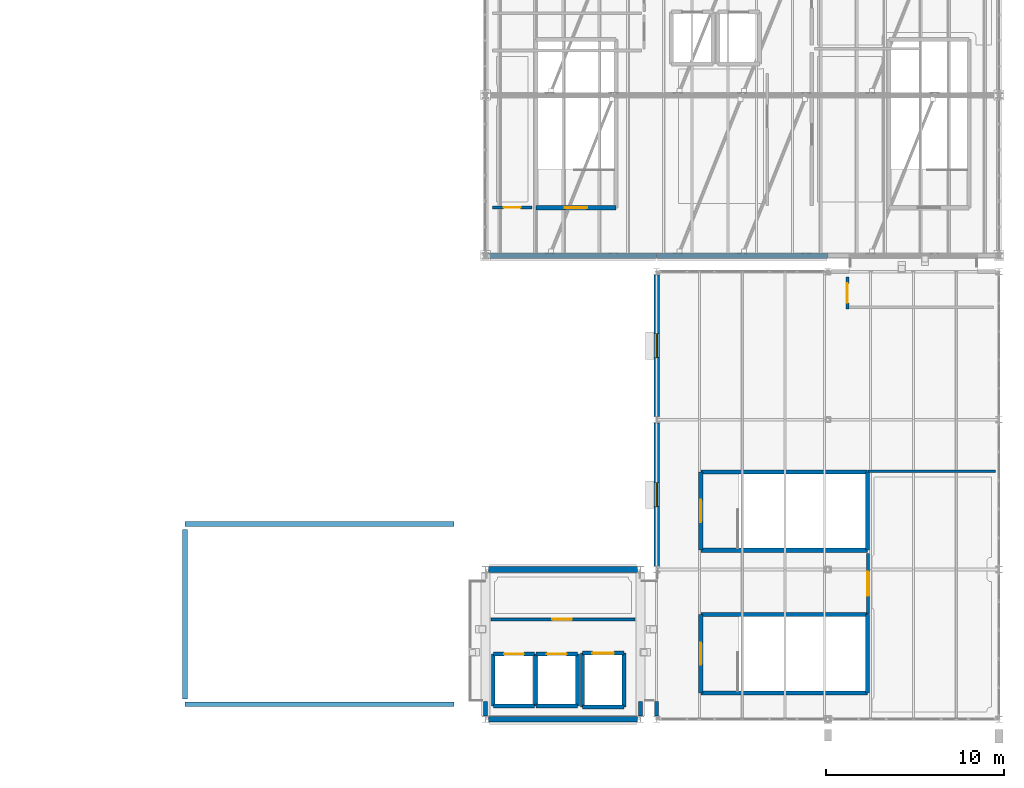
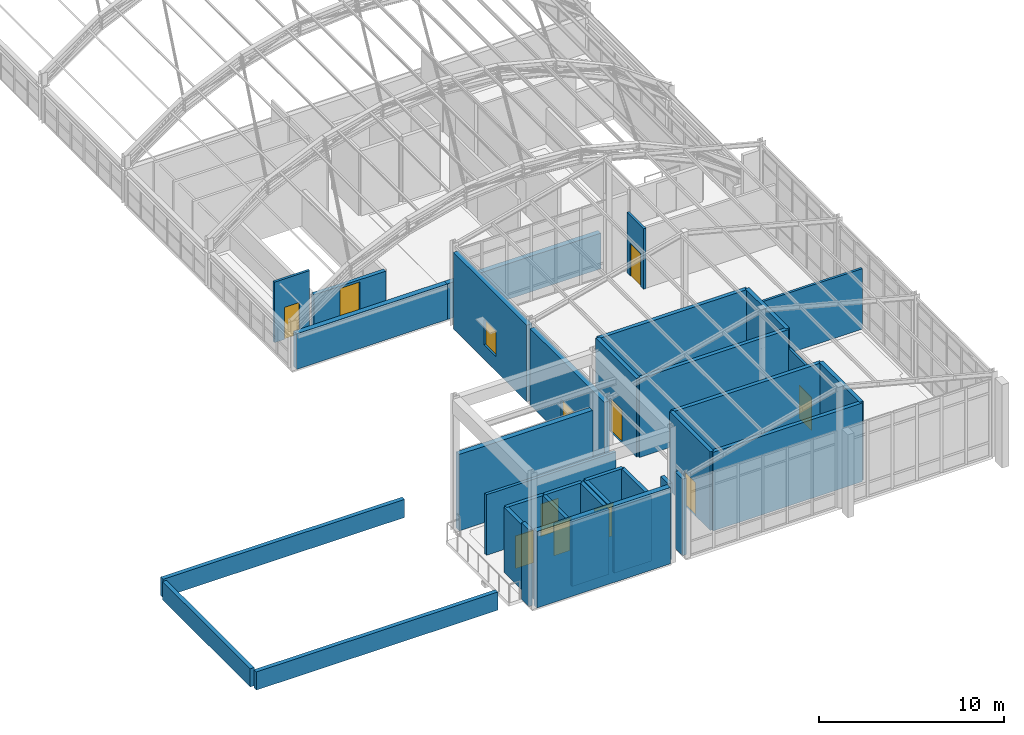
# One storey, part 115 of 121: 37 walls, 10 doors, 2 windows, 12 openings.
"""IFC4 building model written with IfcOpenShell, lengths in metres."""

from ifc_helpers import new_model, si_unit, direction, frame, frame_2d, origin, place, context, subcontext, project, spatial, rectangle, extrude, material, layer, layer_set, type_object, element, fill, save


model = new_model("IFC4")

# Units and contexts
model_context = context("Model", 3, precision=1e-05, world=origin(), true_north=direction((0.0, 1.0)))
body_context = subcontext(model_context, "Body", "Model", "MODEL_VIEW")
ifc_project = project(units=[si_unit("LENGTHUNIT", "METRE"), si_unit("AREAUNIT", "SQUARE_METRE"), si_unit("VOLUMEUNIT", "CUBIC_METRE"), si_unit("PLANEANGLEUNIT", "RADIAN"), si_unit("MASSUNIT", "GRAM", prefix="KILO")], contexts=[model_context])

# Site, building, storey
site_placement = place(None, origin())
site = spatial("IfcSite", under=ifc_project, at=site_placement, CompositionType="ELEMENT")
building_placement = place(site_placement, origin())
building = spatial("IfcBuilding", under=site, at=building_placement, Name="Canglan Escarpment Cableway Terminal", CompositionType="ELEMENT")
storey_placement = place(building_placement, frame((0.0, 0.0, 24.60009765625)))
storey = spatial("IfcBuildingStorey", under=building, at=storey_placement, Name="L05", CompositionType="ELEMENT", Elevation=24.60009765625)

# Walls
ifc_material_1 = material(Name="Concrete C40", Category="concrete")
ifc_layer_1 = layer(ifc_material_1, 0.239990234375, Name="Concrete C40")
ifc_layer_set_1 = layer_set([ifc_layer_1], Name="Concrete C40")
wall_type_1 = type_object("IfcWallType", Name="WL-CORE-SHEAR-240", PredefinedType="SHEAR", material=ifc_layer_set_1)
wall_1_placement = place(storey_placement, frame((149.679931640625, 9.47998046875, 0.0), z_axis=(0.0, 0.0, 1.0), x_axis=(1.0, 0.0, 0.0)))
element("IfcWall", 1, at=wall_1_placement, inside=storey, type_object=wall_type_1, Name="Protected stair core wall ST-08 (L05)", PredefinedType="SHEAR", context=body_context, shape_type="SweptSolid", body=[
    extrude(rectangle(XDim=9.340087890625, YDim=0.239990234375, at=frame_2d((4.669921875, 0.0))), origin(), (0.0, 0.0, 1.0), 5.199951171875),
])
wall_2_placement = place(storey_placement, frame((159.02001953125, 9.47998046875, 0.0), z_axis=(0.0, 0.0, 1.0), x_axis=(0.0, 1.0, 0.0)))
element("IfcWall", 2, at=wall_2_placement, inside=storey, type_object=wall_type_1, Name="Protected stair core wall ST-08 (L05)", PredefinedType="SHEAR", context=body_context, shape_type="SweptSolid", body=[
    extrude(rectangle(XDim=4.39013671875, YDim=0.239990234375, at=frame_2d((2.195068359375, 0.0))), origin(), (0.0, 0.0, 1.0), 5.199951171875),
])
wall_3_placement = place(storey_placement, frame((159.02001953125, 13.8701171875, 0.0), z_axis=(0.0, 0.0, 1.0), x_axis=(-1.0, 0.0, 0.0)))
element("IfcWall", 3, at=wall_3_placement, inside=storey, type_object=wall_type_1, Name="Protected stair core wall ST-08 (L05)", PredefinedType="SHEAR", context=body_context, shape_type="SweptSolid", body=[
    extrude(rectangle(XDim=9.340087890625, YDim=0.239990234375, at=frame_2d((4.669921875, 0.0))), origin(), (0.0, 0.0, 1.0), 5.199951171875),
])

# Wall, opening, door
wall_4_placement = place(storey_placement, frame((149.679931640625, 13.8701171875, 0.0), z_axis=(0.0, 0.0, 1.0), x_axis=(0.0, -1.0, 0.0)))
wall_4 = element("IfcWall", 4, at=wall_4_placement, inside=storey, type_object=wall_type_1, Name="Protected stair core wall ST-08 (L05)", PredefinedType="SHEAR", context=body_context, shape_type="SweptSolid", body=[
    extrude(rectangle(XDim=4.39013671875, YDim=0.239990234375, at=frame_2d((2.195068359375, 0.0))), origin(), (0.0, 0.0, 1.0), 5.199951171875),
])
opening_1_placement = place(wall_4_placement, frame((1.570068359375, 0.0, 0.0)))
opening_1 = element("IfcOpeningElement", 5, at=opening_1_placement, cuts=wall_4, Name="Opening SD-D1", PredefinedType="OPENING", context=body_context, shape_type="SweptSolid", body=[
    extrude(rectangle(XDim=1.25, YDim=2.199951171875, at=frame_2d((0.625, 1.10009765625))), frame((0.0, 0.1298828125, 0.0), z_axis=(0.0, -1.0, 0.0), x_axis=(1.0, 0.0, 0.0)), (0.0, 0.0, 1.0), 0.260009765625),
])
ifc_material_2 = material(Name="Steel fire-resisting stair door", Category="steel")
door_type_1 = type_object("IfcDoorType", Name="DR-STAIR-EI90-1250", OperationType="NOTDEFINED", PredefinedType="DOOR", material=ifc_material_2)
door_1_placement = place(opening_1_placement, origin())
door_1 = element("IfcDoor", 6, at=door_1_placement, inside=storey, type_object=door_type_1, Name="Protected exit stair fire door ST-08 (L05)", OperationType="SINGLE_SWING_RIGHT", OverallHeight=2.199951171875, OverallWidth=1.25, PredefinedType="DOOR", context=body_context, shape_type="SweptSolid", body=[
    extrude(rectangle(XDim=1.25, YDim=2.199951171875, at=frame_2d((0.625, 1.10009765625))), frame((0.0, 0.02490234375, 0.0), z_axis=(0.0, -1.0, 0.0), x_axis=(1.0, 0.0, 0.0)), (0.0, 0.0, 1.0), 0.050048828125),
])
fill(opening_1, door_1)

# Walls
wall_5_placement = place(storey_placement, frame((149.679931640625, 17.47998046875, 0.0), z_axis=(0.0, 0.0, 1.0), x_axis=(1.0, 0.0, 0.0)))
element("IfcWall", 7, at=wall_5_placement, inside=storey, type_object=wall_type_1, Name="Protected stair core wall ST-09 (L05)", PredefinedType="SHEAR", context=body_context, shape_type="SweptSolid", body=[
    extrude(rectangle(XDim=9.340087890625, YDim=0.239990234375, at=frame_2d((4.669921875, 0.0))), origin(), (0.0, 0.0, 1.0), 5.199951171875),
])
wall_6_placement = place(storey_placement, frame((159.02001953125, 17.47998046875, 0.0), z_axis=(0.0, 0.0, 1.0), x_axis=(0.0, 1.0, 0.0)))
element("IfcWall", 8, at=wall_6_placement, inside=storey, type_object=wall_type_1, Name="Protected stair core wall ST-09 (L05)", PredefinedType="SHEAR", context=body_context, shape_type="SweptSolid", body=[
    extrude(rectangle(XDim=4.39013671875, YDim=0.239990234375, at=frame_2d((2.195068359375, 0.0))), origin(), (0.0, 0.0, 1.0), 5.199951171875),
])
wall_7_placement = place(storey_placement, frame((159.02001953125, 21.8701171875, 0.0), z_axis=(0.0, 0.0, 1.0), x_axis=(-1.0, 0.0, 0.0)))
element("IfcWall", 9, at=wall_7_placement, inside=storey, type_object=wall_type_1, Name="Protected stair core wall ST-09 (L05)", PredefinedType="SHEAR", context=body_context, shape_type="SweptSolid", body=[
    extrude(rectangle(XDim=9.340087890625, YDim=0.239990234375, at=frame_2d((4.669921875, 0.0))), origin(), (0.0, 0.0, 1.0), 5.199951171875),
])

# Wall, opening, door
wall_8_placement = place(storey_placement, frame((149.679931640625, 21.8701171875, 0.0), z_axis=(0.0, 0.0, 1.0), x_axis=(0.0, -1.0, 0.0)))
wall_8 = element("IfcWall", 10, at=wall_8_placement, inside=storey, type_object=wall_type_1, Name="Protected stair core wall ST-09 (L05)", PredefinedType="SHEAR", context=body_context, shape_type="SweptSolid", body=[
    extrude(rectangle(XDim=4.39013671875, YDim=0.239990234375, at=frame_2d((2.195068359375, 0.0))), origin(), (0.0, 0.0, 1.0), 5.199951171875),
])
opening_2_placement = place(wall_8_placement, frame((1.570068359375, 0.0, 0.0)))
opening_2 = element("IfcOpeningElement", 11, at=opening_2_placement, cuts=wall_8, Name="Opening SD-D1", PredefinedType="OPENING", context=body_context, shape_type="SweptSolid", body=[
    extrude(rectangle(XDim=1.25, YDim=2.199951171875, at=frame_2d((0.625, 1.10009765625))), frame((0.0, 0.1298828125, 0.0), z_axis=(0.0, -1.0, 0.0), x_axis=(1.0, 0.0, 0.0)), (0.0, 0.0, 1.0), 0.260009765625),
])
door_2_placement = place(opening_2_placement, origin())
door_2 = element("IfcDoor", 12, at=door_2_placement, inside=storey, type_object=door_type_1, Name="Protected exit stair fire door ST-09 (L05)", OperationType="SINGLE_SWING_LEFT", OverallHeight=2.199951171875, OverallWidth=1.25, PredefinedType="DOOR", context=body_context, shape_type="SweptSolid", body=[
    extrude(rectangle(XDim=1.25, YDim=2.199951171875, at=frame_2d((0.625, 1.10009765625))), frame((0.0, 0.02490234375, 0.0), z_axis=(0.0, -1.0, 0.0), x_axis=(1.0, 0.0, 0.0)), (0.0, 0.0, 1.0), 0.050048828125),
])
fill(opening_2, door_2)

wall_9_placement = place(storey_placement, frame((140.429931640625, 36.679931640625, 0.0), z_axis=(0.0, 0.0, 1.0), x_axis=(1.0, 0.0, 0.0)))
wall_9 = element("IfcWall", 13, at=wall_9_placement, inside=storey, type_object=wall_type_1, Name="Protected stair core wall ST-13 (L05)", PredefinedType="SHEAR", context=body_context, shape_type="SweptSolid", body=[
    extrude(rectangle(XDim=4.489990234375, YDim=0.239990234375, at=frame_2d((2.2451171875, 0.0))), origin(), (0.0, 0.0, 1.0), 2.349853515625),
])
opening_3_placement = place(wall_9_placement, frame((1.6201171875, 0.0, 0.0)))
opening_3 = element("IfcOpeningElement", 14, at=opening_3_placement, cuts=wall_9, Name="Opening SD-D1", PredefinedType="OPENING", context=body_context, shape_type="SweptSolid", body=[
    extrude(rectangle(XDim=1.25, YDim=2.199951171875, at=frame_2d((0.625, 1.10009765625))), frame((0.0, 0.1298828125, 0.0), z_axis=(0.0, -1.0, 0.0), x_axis=(1.0, 0.0, 0.0)), (0.0, 0.0, 1.0), 0.260009765625),
])
door_3_placement = place(opening_3_placement, origin())
door_3 = element("IfcDoor", 15, at=door_3_placement, inside=storey, type_object=door_type_1, Name="Protected exit stair fire door ST-13 (L05)", OperationType="SINGLE_SWING_RIGHT", OverallHeight=2.199951171875, OverallWidth=1.25, PredefinedType="DOOR", context=body_context, shape_type="SweptSolid", body=[
    extrude(rectangle(XDim=1.25, YDim=2.199951171875, at=frame_2d((0.625, 1.10009765625))), frame((0.0, 0.02490234375, 0.0), z_axis=(0.0, -1.0, 0.0), x_axis=(1.0, 0.0, 0.0)), (0.0, 0.0, 1.0), 0.050048828125),
])
fill(opening_3, door_3)

# Walls
ifc_material_3 = material(Name="Dressed ashlar limestone on Concrete C40", Category="masonry")
ifc_layer_2 = layer(ifc_material_3, 0.320068359375, Name="Dressed ashlar limestone on Concrete C40")
ifc_layer_set_2 = layer_set([ifc_layer_2], Name="Dressed ashlar limestone on Concrete C40")
wall_type_2 = type_object("IfcWallType", Name="WL-EXT-ASHLAR-320", PredefinedType="STANDARD", material=ifc_layer_set_2)
for number, where, z_axis, x_axis, name in (
    (16, (137.77490234375, 8.0, 0.0), (0.0, 0.0, 1.0), (1.0, 0.0, 0.0), "Classical stone-faced exterior wall EW-FB5A-L05-S-01"),
    (17, (146.125, 16.39990234375, 0.0), (0.0, 0.0, 1.0), (-1.0, 0.0, 0.0), "Classical stone-faced exterior wall EW-FB5A-L05-N-01"),
):
    element("IfcWall", number, at=place(storey_placement, frame(where, z_axis=z_axis, x_axis=x_axis)), inside=storey, type_object=wall_type_2, Name=name, PredefinedType="STANDARD", context=body_context, shape_type="SweptSolid", body=[
        extrude(rectangle(XDim=8.35009765625, YDim=0.320068359375, at=frame_2d((4.175048828125, 0.0))), origin(), (0.0, 0.0, 1.0), 5.0498046875),
    ])

# Wall, opening, window
wall_10_placement = place(storey_placement, frame((147.199951171875, 24.625, 0.0), z_axis=(0.0, 0.0, 1.0), x_axis=(0.0, -1.0, 0.0)))
wall_10 = element("IfcWall", 18, at=wall_10_placement, inside=storey, type_object=wall_type_2, Name="Classical stone-faced exterior wall EW-FB5-L05-W-02", PredefinedType="STANDARD", context=body_context, shape_type="SweptSolid", body=[
    extrude(rectangle(XDim=8.050048828125, YDim=0.320068359375, at=frame_2d((4.02490234375, 0.0))), origin(), (0.0, 0.0, 1.0), 5.0498046875),
])
opening_4_placement = place(wall_10_placement, frame((3.35009765625, 0.0, 0.949951171875)))
opening_4 = element("IfcOpeningElement", 19, at=opening_4_placement, cuts=wall_10, Name="Opening W-05", PredefinedType="OPENING", context=body_context, shape_type="SweptSolid", body=[
    extrude(rectangle(XDim=1.35009765625, YDim=1.449951171875, at=frame_2d((0.675048828125, 0.72509765625))), frame((0.0, 0.169921875, 0.0), z_axis=(0.0, -1.0, 0.0), x_axis=(1.0, 0.0, 0.0)), (0.0, 0.0, 1.0), 0.340087890625),
])
ifc_material_4 = material(Name="Anodized bronze aluminium and Low-E double glazing", Category="aluminium")
window_type_1 = type_object("IfcWindowType", Name="WIN-EXT-05", PartitioningType="SINGLE_PANEL", PredefinedType="WINDOW", material=ifc_material_4)
window_1_placement = place(opening_4_placement, origin())
window_1 = element("IfcWindow", 20, at=window_1_placement, inside=storey, type_object=window_type_1, Name="Classical module window W-05", OverallHeight=1.449951171875, OverallWidth=1.35009765625, PartitioningType="SINGLE_PANEL", PredefinedType="WINDOW", context=body_context, shape_type="SweptSolid", body=[
    extrude(rectangle(XDim=1.35009765625, YDim=1.449951171875, at=frame_2d((0.675048828125, 0.72509765625))), frame((0.0, 0.030029296875, 0.0), z_axis=(0.0, -1.0, 0.0), x_axis=(1.0, 0.0, 0.0)), (0.0, 0.0, 1.0), 0.06005859375),
])
fill(opening_4, window_1)

wall_11_placement = place(storey_placement, frame((147.199951171875, 32.925048828125, 0.0), z_axis=(0.0, 0.0, 1.0), x_axis=(0.0, -1.0, 0.0)))
wall_11 = element("IfcWall", 21, at=wall_11_placement, inside=storey, type_object=wall_type_2, Name="Classical stone-faced exterior wall EW-FB5-L05-W-03", PredefinedType="STANDARD", context=body_context, shape_type="SweptSolid", body=[
    extrude(rectangle(XDim=7.949951171875, YDim=0.320068359375, at=frame_2d((3.97509765625, 0.0))), origin(), (0.0, 0.0, 1.0), 5.0498046875),
])
opening_5_placement = place(wall_11_placement, frame((3.300048828125, 0.0, 0.949951171875)))
opening_5 = element("IfcOpeningElement", 22, at=opening_5_placement, cuts=wall_11, Name="Opening W-06", PredefinedType="OPENING", context=body_context, shape_type="SweptSolid", body=[
    extrude(rectangle(XDim=1.35009765625, YDim=1.699951171875, at=frame_2d((0.675048828125, 0.85009765625))), frame((0.0, 0.169921875, 0.0), z_axis=(0.0, -1.0, 0.0), x_axis=(1.0, 0.0, 0.0)), (0.0, 0.0, 1.0), 0.340087890625),
])
window_type_2 = type_object("IfcWindowType", Name="WIN-EXT-06", PartitioningType="SINGLE_PANEL", PredefinedType="WINDOW", material=ifc_material_4)
window_2_placement = place(opening_5_placement, origin())
window_2 = element("IfcWindow", 23, at=window_2_placement, inside=storey, type_object=window_type_2, Name="Classical module window W-06", OverallHeight=1.699951171875, OverallWidth=1.35009765625, PartitioningType="SINGLE_PANEL", PredefinedType="WINDOW", context=body_context, shape_type="SweptSolid", body=[
    extrude(rectangle(XDim=1.35009765625, YDim=1.699951171875, at=frame_2d((0.675048828125, 0.85009765625))), frame((0.0, 0.030029296875, 0.0), z_axis=(0.0, -1.0, 0.0), x_axis=(1.0, 0.0, 0.0)), (0.0, 0.0, 1.0), 0.06005859375),
])
fill(opening_5, window_2)

# Walls
wall_12_placement = place(storey_placement, frame((137.77490234375, 34.0, 0.0), z_axis=(0.0, 0.0, 1.0), x_axis=(1.0, 0.0, 0.0)))
element("IfcWall", 24, at=wall_12_placement, inside=storey, type_object=wall_type_2, Name="Classical stone-faced exterior wall EW-FB9-L05-S-01", PredefinedType="STANDARD", context=body_context, shape_type="SweptSolid", body=[
    extrude(rectangle(XDim=9.425048828125, YDim=0.320068359375, at=frame_2d((4.71240234375, 0.0))), origin(), (0.0, 0.0, 1.0), 2.349853515625),
])
wall_13_placement = place(storey_placement, frame((147.199951171875, 34.0, 0.0), z_axis=(0.0, 0.0, 1.0), x_axis=(1.0, 0.0, 0.0)))
element("IfcWall", 25, at=wall_13_placement, inside=storey, type_object=wall_type_2, Name="Classical stone-faced exterior wall EW-FB9-L05-S-02", PredefinedType="STANDARD", context=body_context, shape_type="SweptSolid", body=[
    extrude(rectangle(XDim=9.60009765625, YDim=0.320068359375, at=frame_2d((4.800048828125, 0.0))), origin(), (0.0, 0.0, 1.0), 2.349853515625),
])
ifc_material_5 = material(Name="Insulated stone-faced spandrel wall", Category="masonry")
ifc_layer_3 = layer(ifc_material_5, 0.22998046875, Name="Insulated stone-faced spandrel wall")
ifc_layer_set_3 = layer_set([ifc_layer_3], Name="Insulated stone-faced spandrel wall")
wall_type_3 = type_object("IfcWallType", Name="WL-EXT-LINK-230", PredefinedType="STANDARD", material=ifc_layer_set_3)
for number, where, z_axis, x_axis, name in (
    (26, (146.300048828125, 8.175048828125, 0.0), (0.0, 0.0, 1.0), (0.0, 1.0, 0.0), "Classical stone-faced exterior wall EW-FB5A-L05-E-01-FL1"),
    (27, (137.60009765625, 8.175048828125, 0.0), (0.0, 0.0, 1.0), (0.0, 1.0, 0.0), "Classical stone-faced exterior wall EW-FB5A-L05-W-01-FL1"),
    (28, (147.199951171875, 8.175048828125, 0.0), (0.0, 0.0, 1.0), (0.0, 1.0, 0.0), "Classical stone-faced exterior wall EW-FB5-L05-W-01-FL1"),
):
    element("IfcWall", number, at=place(storey_placement, frame(where, z_axis=z_axis, x_axis=x_axis)), inside=storey, type_object=wall_type_3, Name=name, PredefinedType="STANDARD", context=body_context, shape_type="SweptSolid", body=[
        extrude(rectangle(XDim=0.824951171875, YDim=0.22998046875, at=frame_2d((0.41259765625, 0.0))), origin(), (0.0, 0.0, 1.0), 5.0498046875),
    ])

# Wall, opening, door
ifc_material_6 = material(Name="Autoclaved aerated concrete blockwork", Category="masonry")
ifc_layer_4 = layer(ifc_material_6, 0.179931640625, Name="Autoclaved aerated concrete blockwork")
ifc_layer_set_4 = layer_set([ifc_layer_4], Name="Autoclaved aerated concrete blockwork")
wall_type_4 = type_object("IfcWallType", Name="WL-INT-FIRE-180-EI60", PredefinedType="PARTITIONING", material=ifc_layer_set_4)
wall_14_placement = place(storey_placement, frame((137.89990234375, 13.60009765625, 0.0), z_axis=(0.0, 0.0, 1.0), x_axis=(1.0, 0.0, 0.0)))
wall_14 = element("IfcWall", 29, at=wall_14_placement, inside=storey, type_object=wall_type_4, Name="Interior partition wall IW-L05-04-MAIN", PredefinedType="PARTITIONING", context=body_context, shape_type="SweptSolid", body=[
    extrude(rectangle(XDim=8.10009765625, YDim=0.179931640625, at=frame_2d((4.050048828125, 0.0))), origin(), (0.0, 0.0, 1.0), 4.0),
])
opening_6_placement = place(wall_14_placement, frame((3.449951171875, 0.0, 0.0)))
opening_6 = element("IfcOpeningElement", 30, at=opening_6_placement, cuts=wall_14, Name="Opening ID-42", PredefinedType="OPENING", context=body_context, shape_type="SweptSolid", body=[
    extrude(rectangle(XDim=1.10009765625, YDim=2.139892578125, at=frame_2d((0.550048828125, 1.06982421875))), frame((0.0, 0.10009765625, 0.0), z_axis=(0.0, -1.0, 0.0), x_axis=(1.0, 0.0, 0.0)), (0.0, 0.0, 1.0), 0.199951171875),
])
ifc_material_7 = material(Name="Stained oak and safety glass door", Category="glass")
door_type_2 = type_object("IfcDoorType", Name="DR-INT-ID-42", OperationType="NOTDEFINED", PredefinedType="DOOR", material=ifc_material_7)
door_4_placement = place(opening_6_placement, origin())
door_4 = element("IfcDoor", 31, at=door_4_placement, inside=storey, type_object=door_type_2, Name="Summit Emergency Broadcast Room door ID-42", OperationType="SINGLE_SWING_RIGHT", OverallHeight=2.139892578125, OverallWidth=1.10009765625, PredefinedType="DOOR", context=body_context, shape_type="SweptSolid", body=[
    extrude(rectangle(XDim=1.10009765625, YDim=2.139892578125, at=frame_2d((0.550048828125, 1.06982421875))), frame((0.0, 0.02490234375, 0.0), z_axis=(0.0, -1.0, 0.0), x_axis=(1.0, 0.0, 0.0)), (0.0, 0.0, 1.0), 0.050048828125),
])
fill(opening_6, door_4)

ifc_material_8 = material(Name="Acoustic double-stud gypsum partition", Category="gypsum")
ifc_layer_5 = layer(ifc_material_8, 0.14990234375, Name="Acoustic double-stud gypsum partition")
ifc_layer_set_5 = layer_set([ifc_layer_5], Name="Acoustic double-stud gypsum partition")
wall_type_5 = type_object("IfcWallType", Name="WL-INT-PART-150", PredefinedType="PARTITIONING", material=ifc_layer_set_5)
wall_15_placement = place(storey_placement, frame((157.89990234375, 31.0, 0.0), z_axis=(0.0, 0.0, 1.0), x_axis=(0.0, 1.0, 0.0)))
wall_15 = element("IfcWall", 32, at=wall_15_placement, inside=storey, type_object=wall_type_5, Name="Interior partition wall IW-L05-05-MAIN", PredefinedType="PARTITIONING", context=body_context, shape_type="SweptSolid", body=[
    extrude(rectangle(XDim=1.800048828125, YDim=0.14990234375, at=frame_2d((0.89990234375, 0.0))), origin(), (0.0, 0.0, 1.0), 4.0),
])
opening_7_placement = place(wall_15_placement, frame((0.35009765625, 0.0, 0.0)))
opening_7 = element("IfcOpeningElement", 33, at=opening_7_placement, cuts=wall_15, Name="Opening ID-05", PredefinedType="OPENING", context=body_context, shape_type="SweptSolid", body=[
    extrude(rectangle(XDim=1.10009765625, YDim=2.14990234375, at=frame_2d((0.550048828125, 1.074951171875))), frame((0.0, 0.0849609375, 0.0), z_axis=(0.0, -1.0, 0.0), x_axis=(1.0, 0.0, 0.0)), (0.0, 0.0, 1.0), 0.169921875),
])
door_type_3 = type_object("IfcDoorType", Name="DR-INT-ID-05", OperationType="NOTDEFINED", PredefinedType="DOOR", material=ifc_material_7)
door_5_placement = place(opening_7_placement, origin())
door_5 = element("IfcDoor", 34, at=door_5_placement, inside=storey, type_object=door_type_3, Name="Summit Observatory Salon door ID-05", OperationType="SINGLE_SWING_LEFT", OverallHeight=2.14990234375, OverallWidth=1.10009765625, PredefinedType="DOOR", context=body_context, shape_type="SweptSolid", body=[
    extrude(rectangle(XDim=1.10009765625, YDim=2.14990234375, at=frame_2d((0.550048828125, 1.074951171875))), frame((0.0, 0.02490234375, 0.0), z_axis=(0.0, -1.0, 0.0), x_axis=(1.0, 0.0, 0.0)), (0.0, 0.0, 1.0), 0.050048828125),
])
fill(opening_7, door_5)

wall_16_placement = place(storey_placement, frame((159.050048828125, 13.89990234375, 0.0), z_axis=(0.0, 0.0, 1.0), x_axis=(0.0, 1.0, 0.0)))
wall_16 = element("IfcWall", 35, at=wall_16_placement, inside=storey, type_object=wall_type_5, Name="Interior partition wall IW-L05-06-MAIN", PredefinedType="PARTITIONING", context=body_context, shape_type="SweptSolid", body=[
    extrude(rectangle(XDim=3.400146484375, YDim=0.14990234375, at=frame_2d((1.7001953125, 0.0))), origin(), (0.0, 0.0, 1.0), 4.0),
])
opening_8_placement = place(wall_16_placement, frame((1.02490234375, 0.0, 0.0)))
opening_8 = element("IfcOpeningElement", 36, at=opening_8_placement, cuts=wall_16, Name="Opening ID-14", PredefinedType="OPENING", context=body_context, shape_type="SweptSolid", body=[
    extrude(rectangle(XDim=1.35009765625, YDim=2.179931640625, at=frame_2d((0.675048828125, 1.08984375))), frame((0.0, 0.0849609375, 0.0), z_axis=(0.0, -1.0, 0.0), x_axis=(1.0, 0.0, 0.0)), (0.0, 0.0, 1.0), 0.169921875),
])
door_type_4 = type_object("IfcDoorType", Name="DR-INT-ID-14", OperationType="NOTDEFINED", PredefinedType="DOOR", material=ifc_material_7)
door_6_placement = place(opening_8_placement, origin())
door_6 = element("IfcDoor", 37, at=door_6_placement, inside=storey, type_object=door_type_4, Name="Private Dining Suite door ID-14", OperationType="SINGLE_SWING_RIGHT", OverallHeight=2.179931640625, OverallWidth=1.35009765625, PredefinedType="DOOR", context=body_context, shape_type="SweptSolid", body=[
    extrude(rectangle(XDim=1.35009765625, YDim=2.179931640625, at=frame_2d((0.675048828125, 1.08984375))), frame((0.0, 0.02490234375, 0.0), z_axis=(0.0, -1.0, 0.0), x_axis=(1.0, 0.0, 0.0)), (0.0, 0.0, 1.0), 0.050048828125),
])
fill(opening_8, door_6)

# Wall
wall_17_placement = place(storey_placement, frame((159.050048828125, 21.89990234375, 0.0), z_axis=(0.0, 0.0, 1.0), x_axis=(1.0, 0.0, 0.0)))
element("IfcWall", 38, at=wall_17_placement, inside=storey, type_object=wall_type_5, Name="Interior partition wall IW-L05-06-SIDE", PredefinedType="PARTITIONING", context=body_context, shape_type="SweptSolid", body=[
    extrude(rectangle(XDim=7.14990234375, YDim=0.14990234375, at=frame_2d((3.574951171875, 0.0))), origin(), (0.0, 0.0, 1.0), 4.0),
])

# Wall, opening, door
wall_18_placement = place(storey_placement, frame((138.0, 36.699951171875, 0.0), z_axis=(0.0, 0.0, 1.0), x_axis=(1.0, 0.0, 0.0)))
wall_18 = element("IfcWall", 39, at=wall_18_placement, inside=storey, type_object=wall_type_5, Name="Interior partition wall IW-L05-11-MAIN", PredefinedType="PARTITIONING", context=body_context, shape_type="SweptSolid", body=[
    extrude(rectangle(XDim=2.199951171875, YDim=0.14990234375, at=frame_2d((1.10009765625, 0.0))), origin(), (0.0, 0.0, 1.0), 4.0),
])
opening_9_placement = place(wall_18_placement, frame((0.625, 0.0, 0.0)))
opening_9 = element("IfcOpeningElement", 40, at=opening_9_placement, cuts=wall_18, Name="Opening ID-01", PredefinedType="OPENING", context=body_context, shape_type="SweptSolid", body=[
    extrude(rectangle(XDim=0.949951171875, YDim=2.1201171875, at=frame_2d((0.47509765625, 1.06005859375))), frame((0.0, 0.0849609375, 0.0), z_axis=(0.0, -1.0, 0.0), x_axis=(1.0, 0.0, 0.0)), (0.0, 0.0, 1.0), 0.169921875),
])
door_type_5 = type_object("IfcDoorType", Name="DR-INT-ID-01", OperationType="NOTDEFINED", PredefinedType="DOOR", material=ifc_material_7)
door_7_placement = place(opening_9_placement, origin())
door_7 = element("IfcDoor", 41, at=door_7_placement, inside=storey, type_object=door_type_5, Name="Cloud Sea Tea Salon door ID-01", OperationType="SINGLE_SWING_LEFT", OverallHeight=2.1201171875, OverallWidth=0.949951171875, PredefinedType="DOOR", context=body_context, shape_type="SweptSolid", body=[
    extrude(rectangle(XDim=0.949951171875, YDim=2.1201171875, at=frame_2d((0.47509765625, 1.06005859375))), frame((0.0, 0.02490234375, 0.0), z_axis=(0.0, -1.0, 0.0), x_axis=(1.0, 0.0, 0.0)), (0.0, 0.0, 1.0), 0.050048828125),
])
fill(opening_9, door_7)

# Walls
ifc_material_9 = material(Name="Dressed limestone coping wall", Category="masonry")
ifc_layer_6 = layer(ifc_material_9, 0.260009765625, Name="Dressed limestone coping wall")
ifc_layer_set_6 = layer_set([ifc_layer_6], Name="Dressed limestone coping wall")
wall_type_6 = type_object("IfcWallType", Name="WL-PAR-STONE-260", PredefinedType="PARAPET", material=ifc_layer_set_6)
for number, where, z_axis, x_axis, name in (
    (42, (120.75, 8.85009765625, 0.0), (0.0, 0.0, 1.0), (1.0, 0.0, 0.0), "Classical stone roof parapet PW-01"),
    (43, (120.75, 18.949951171875, 0.0), (0.0, 0.0, 1.0), (1.0, 0.0, 0.0), "Classical stone roof parapet PW-01"),
):
    element("IfcWall", number, at=place(storey_placement, frame(where, z_axis=z_axis, x_axis=x_axis)), inside=storey, type_object=wall_type_6, Name=name, PredefinedType="PARAPET", context=body_context, shape_type="SweptSolid", body=[
        extrude(rectangle(XDim=15.10009765625, YDim=0.260009765625, at=frame_2d((7.550048828125, 0.0))), origin(), (0.0, 0.0, 1.0), 1.199951171875),
    ])
wall_19_placement = place(storey_placement, frame((120.75, 9.14990234375, 0.0), z_axis=(0.0, 0.0, 1.0), x_axis=(0.0, 1.0, 0.0)))
element("IfcWall", 44, at=wall_19_placement, inside=storey, type_object=wall_type_6, Name="Classical stone roof parapet PW-01", PredefinedType="PARAPET", context=body_context, shape_type="SweptSolid", body=[
    extrude(rectangle(XDim=9.5, YDim=0.260009765625, at=frame_2d((4.75, 0.0))), origin(), (0.0, 0.0, 1.0), 1.199951171875),
])
ifc_layer_7 = layer(ifc_material_1, 0.219970703125, Name="Concrete C40")
ifc_layer_set_7 = layer_set([ifc_layer_7], Name="Concrete C40")
wall_type_7 = type_object("IfcWallType", Name="WL-SHAFT-SHEAR-220", PredefinedType="SHEAR", material=ifc_layer_set_7)
wall_20_placement = place(storey_placement, frame((138.0400390625, 8.739990234375, 0.0), z_axis=(0.0, 0.0, 1.0), x_axis=(1.0, 0.0, 0.0)))
element("IfcWall", 45, at=wall_20_placement, inside=storey, type_object=wall_type_7, Name="Elevator core shaft wall LF-01 (L05)", PredefinedType="SHEAR", context=body_context, shape_type="SweptSolid", body=[
    extrude(rectangle(XDim=2.320068359375, YDim=0.219970703125, at=frame_2d((1.16015625, 0.0))), origin(), (0.0, 0.0, 1.0), 4.2998046875),
])
wall_21_placement = place(storey_placement, frame((140.39990234375, 8.739990234375, 0.0), z_axis=(0.0, 0.0, 1.0), x_axis=(0.0, 1.0, 0.0)))
element("IfcWall", 46, at=wall_21_placement, inside=storey, type_object=wall_type_7, Name="Elevator core shaft wall LF-01 (L05)", PredefinedType="SHEAR", context=body_context, shape_type="SweptSolid", body=[
    extrude(rectangle(XDim=2.919921875, YDim=0.219970703125, at=frame_2d((1.4599609375, 0.0))), origin(), (0.0, 0.0, 1.0), 4.2998046875),
])

# Wall, opening, door
wall_22_placement = place(storey_placement, frame((140.360107421875, 11.659912109375, 0.0), z_axis=(0.0, 0.0, 1.0), x_axis=(-1.0, 0.0, 0.0)))
wall_22 = element("IfcWall", 47, at=wall_22_placement, inside=storey, type_object=wall_type_7, Name="Elevator core shaft wall LF-01 (L05)", PredefinedType="SHEAR", context=body_context, shape_type="SweptSolid", body=[
    extrude(rectangle(XDim=2.320068359375, YDim=0.219970703125, at=frame_2d((1.16015625, 0.0))), origin(), (0.0, 0.0, 1.0), 4.2998046875),
])
opening_10_placement = place(wall_22_placement, frame((0.610107421875, 0.0, 0.0)))
opening_10 = element("IfcOpeningElement", 48, at=opening_10_placement, cuts=wall_22, Name="Opening LD-01", PredefinedType="OPENING", context=body_context, shape_type="SweptSolid", body=[
    extrude(rectangle(XDim=1.10009765625, YDim=2.14990234375, at=frame_2d((0.550048828125, 1.074951171875))), frame((0.0, 0.1201171875, 0.0), z_axis=(0.0, -1.0, 0.0), x_axis=(1.0, 0.0, 0.0)), (0.0, 0.0, 1.0), 0.239990234375),
])
ifc_material_10 = material(Name="Brushed stainless steel lift landing door", Category="steel")
door_type_6 = type_object("IfcDoorType", Name="DR-LIFT-SLIDE-1100", OperationType="DOUBLE_DOOR_SLIDING", PredefinedType="DOOR", material=ifc_material_10)
door_8_placement = place(opening_10_placement, origin())
door_8 = element("IfcDoor", 49, at=door_8_placement, inside=storey, type_object=door_type_6, Name="Elevator sliding landing door LF-01 (L05)", OperationType="DOUBLE_DOOR_SLIDING", OverallHeight=2.14990234375, OverallWidth=1.10009765625, PredefinedType="DOOR", context=body_context, shape_type="SweptSolid", body=[
    extrude(rectangle(XDim=1.10009765625, YDim=2.14990234375, at=frame_2d((0.550048828125, 1.074951171875))), frame((0.0, 0.02490234375, 0.0), z_axis=(0.0, -1.0, 0.0), x_axis=(1.0, 0.0, 0.0)), (0.0, 0.0, 1.0), 0.050048828125),
])
fill(opening_10, door_8)

# Walls
wall_23_placement = place(storey_placement, frame((138.0400390625, 11.659912109375, 0.0), z_axis=(0.0, 0.0, 1.0), x_axis=(0.0, -1.0, 0.0)))
element("IfcWall", 50, at=wall_23_placement, inside=storey, type_object=wall_type_7, Name="Elevator core shaft wall LF-01 (L05)", PredefinedType="SHEAR", context=body_context, shape_type="SweptSolid", body=[
    extrude(rectangle(XDim=2.919921875, YDim=0.219970703125, at=frame_2d((1.4599609375, 0.0))), origin(), (0.0, 0.0, 1.0), 4.2998046875),
])
wall_24_placement = place(storey_placement, frame((140.43994140625, 8.739990234375, 0.0), z_axis=(0.0, 0.0, 1.0), x_axis=(1.0, 0.0, 0.0)))
element("IfcWall", 51, at=wall_24_placement, inside=storey, type_object=wall_type_7, Name="Elevator core shaft wall LF-02 (L05)", PredefinedType="SHEAR", context=body_context, shape_type="SweptSolid", body=[
    extrude(rectangle(XDim=2.320068359375, YDim=0.219970703125, at=frame_2d((1.16015625, 0.0))), origin(), (0.0, 0.0, 1.0), 4.2998046875),
])
wall_25_placement = place(storey_placement, frame((142.760009765625, 8.739990234375, 0.0), z_axis=(0.0, 0.0, 1.0), x_axis=(0.0, 1.0, 0.0)))
element("IfcWall", 52, at=wall_25_placement, inside=storey, type_object=wall_type_7, Name="Elevator core shaft wall LF-02 (L05)", PredefinedType="SHEAR", context=body_context, shape_type="SweptSolid", body=[
    extrude(rectangle(XDim=2.919921875, YDim=0.219970703125, at=frame_2d((1.4599609375, 0.0))), origin(), (0.0, 0.0, 1.0), 4.2998046875),
])

# Wall, opening, door
wall_26_placement = place(storey_placement, frame((142.760009765625, 11.659912109375, 0.0), z_axis=(0.0, 0.0, 1.0), x_axis=(-1.0, 0.0, 0.0)))
wall_26 = element("IfcWall", 53, at=wall_26_placement, inside=storey, type_object=wall_type_7, Name="Elevator core shaft wall LF-02 (L05)", PredefinedType="SHEAR", context=body_context, shape_type="SweptSolid", body=[
    extrude(rectangle(XDim=2.320068359375, YDim=0.219970703125, at=frame_2d((1.16015625, 0.0))), origin(), (0.0, 0.0, 1.0), 4.2998046875),
])
opening_11_placement = place(wall_26_placement, frame((0.610107421875, 0.0, 0.0)))
opening_11 = element("IfcOpeningElement", 54, at=opening_11_placement, cuts=wall_26, Name="Opening LD-01", PredefinedType="OPENING", context=body_context, shape_type="SweptSolid", body=[
    extrude(rectangle(XDim=1.10009765625, YDim=2.14990234375, at=frame_2d((0.550048828125, 1.074951171875))), frame((0.0, 0.1201171875, 0.0), z_axis=(0.0, -1.0, 0.0), x_axis=(1.0, 0.0, 0.0)), (0.0, 0.0, 1.0), 0.239990234375),
])
door_9_placement = place(opening_11_placement, origin())
door_9 = element("IfcDoor", 55, at=door_9_placement, inside=storey, type_object=door_type_6, Name="Elevator sliding landing door LF-02 (L05)", OperationType="DOUBLE_DOOR_SLIDING", OverallHeight=2.14990234375, OverallWidth=1.10009765625, PredefinedType="DOOR", context=body_context, shape_type="SweptSolid", body=[
    extrude(rectangle(XDim=1.10009765625, YDim=2.14990234375, at=frame_2d((0.550048828125, 1.074951171875))), frame((0.0, 0.02490234375, 0.0), z_axis=(0.0, -1.0, 0.0), x_axis=(1.0, 0.0, 0.0)), (0.0, 0.0, 1.0), 0.050048828125),
])
fill(opening_11, door_9)

# Walls
wall_27_placement = place(storey_placement, frame((143.0400390625, 8.68994140625, 0.0), z_axis=(0.0, 0.0, 1.0), x_axis=(1.0, 0.0, 0.0)))
element("IfcWall", 56, at=wall_27_placement, inside=storey, type_object=wall_type_7, Name="Elevator core shaft wall LF-07 (L05)", PredefinedType="SHEAR", context=body_context, shape_type="SweptSolid", body=[
    extrude(rectangle(XDim=2.320068359375, YDim=0.219970703125, at=frame_2d((1.16015625, 0.0))), origin(), (0.0, 0.0, 1.0), 4.2998046875),
])
wall_28_placement = place(storey_placement, frame((145.360107421875, 8.68994140625, 0.0), z_axis=(0.0, 0.0, 1.0), x_axis=(0.0, 1.0, 0.0)))
element("IfcWall", 57, at=wall_28_placement, inside=storey, type_object=wall_type_7, Name="Elevator core shaft wall LF-07 (L05)", PredefinedType="SHEAR", context=body_context, shape_type="SweptSolid", body=[
    extrude(rectangle(XDim=3.02001953125, YDim=0.219970703125, at=frame_2d((1.510009765625, 0.0))), origin(), (0.0, 0.0, 1.0), 4.2998046875),
])

# Wall, opening, door
wall_29_placement = place(storey_placement, frame((145.360107421875, 11.7099609375, 0.0), z_axis=(0.0, 0.0, 1.0), x_axis=(-1.0, 0.0, 0.0)))
wall_29 = element("IfcWall", 58, at=wall_29_placement, inside=storey, type_object=wall_type_7, Name="Elevator core shaft wall LF-07 (L05)", PredefinedType="SHEAR", context=body_context, shape_type="SweptSolid", body=[
    extrude(rectangle(XDim=2.320068359375, YDim=0.219970703125, at=frame_2d((1.16015625, 0.0))), origin(), (0.0, 0.0, 1.0), 4.2998046875),
])
opening_12_placement = place(wall_29_placement, frame((0.56005859375, 0.0, 0.0)))
opening_12 = element("IfcOpeningElement", 59, at=opening_12_placement, cuts=wall_29, Name="Opening LD-02", PredefinedType="OPENING", context=body_context, shape_type="SweptSolid", body=[
    extrude(rectangle(XDim=1.199951171875, YDim=2.14990234375, at=frame_2d((0.60009765625, 1.074951171875))), frame((0.0, 0.1201171875, 0.0), z_axis=(0.0, -1.0, 0.0), x_axis=(1.0, 0.0, 0.0)), (0.0, 0.0, 1.0), 0.239990234375),
])
ifc_material_11 = material(Name="Fire-rated stainless steel lift landing door", Category="steel")
door_type_7 = type_object("IfcDoorType", Name="DR-LIFT-FIRE-1200", OperationType="DOUBLE_DOOR_SLIDING", PredefinedType="DOOR", material=ifc_material_11)
door_10_placement = place(opening_12_placement, origin())
door_10 = element("IfcDoor", 60, at=door_10_placement, inside=storey, type_object=door_type_7, Name="Elevator sliding landing door LF-07 (L05)", OperationType="DOUBLE_DOOR_SLIDING", OverallHeight=2.14990234375, OverallWidth=1.199951171875, PredefinedType="DOOR", context=body_context, shape_type="SweptSolid", body=[
    extrude(rectangle(XDim=1.199951171875, YDim=2.14990234375, at=frame_2d((0.60009765625, 1.074951171875))), frame((0.0, 0.02490234375, 0.0), z_axis=(0.0, -1.0, 0.0), x_axis=(1.0, 0.0, 0.0)), (0.0, 0.0, 1.0), 0.050048828125),
])
fill(opening_12, door_10)

# Wall
wall_30_placement = place(storey_placement, frame((143.0400390625, 11.7099609375, 0.0), z_axis=(0.0, 0.0, 1.0), x_axis=(0.0, -1.0, 0.0)))
element("IfcWall", 61, at=wall_30_placement, inside=storey, type_object=wall_type_7, Name="Elevator core shaft wall LF-07 (L05)", PredefinedType="SHEAR", context=body_context, shape_type="SweptSolid", body=[
    extrude(rectangle(XDim=3.02001953125, YDim=0.219970703125, at=frame_2d((1.510009765625, 0.0))), origin(), (0.0, 0.0, 1.0), 4.2998046875),
])

save(model, "model.ifc")
